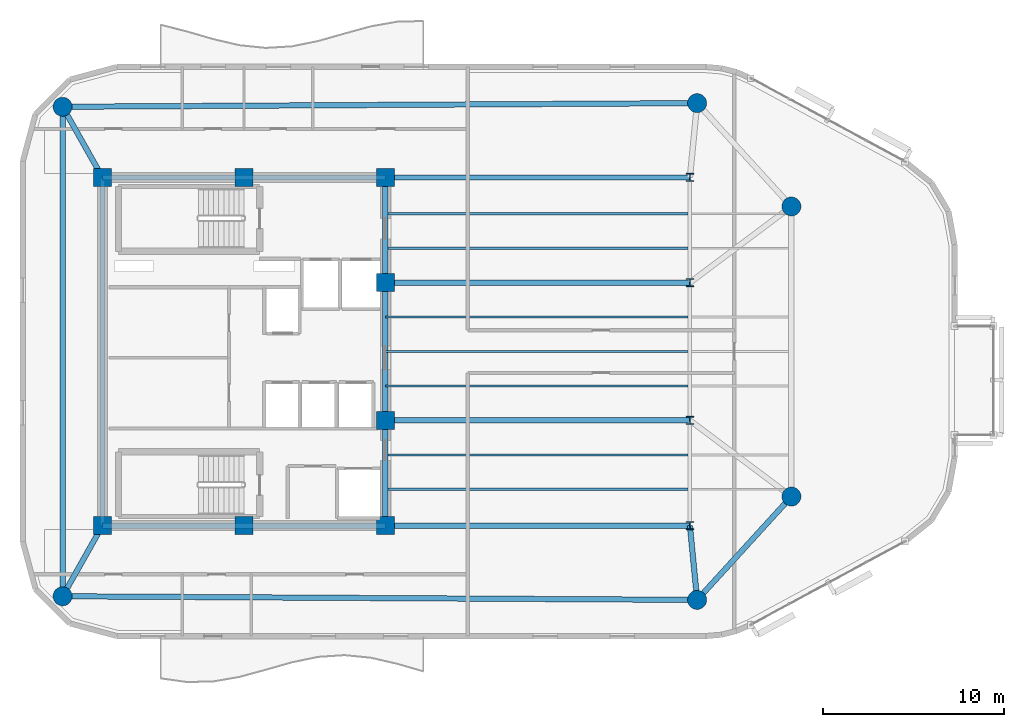
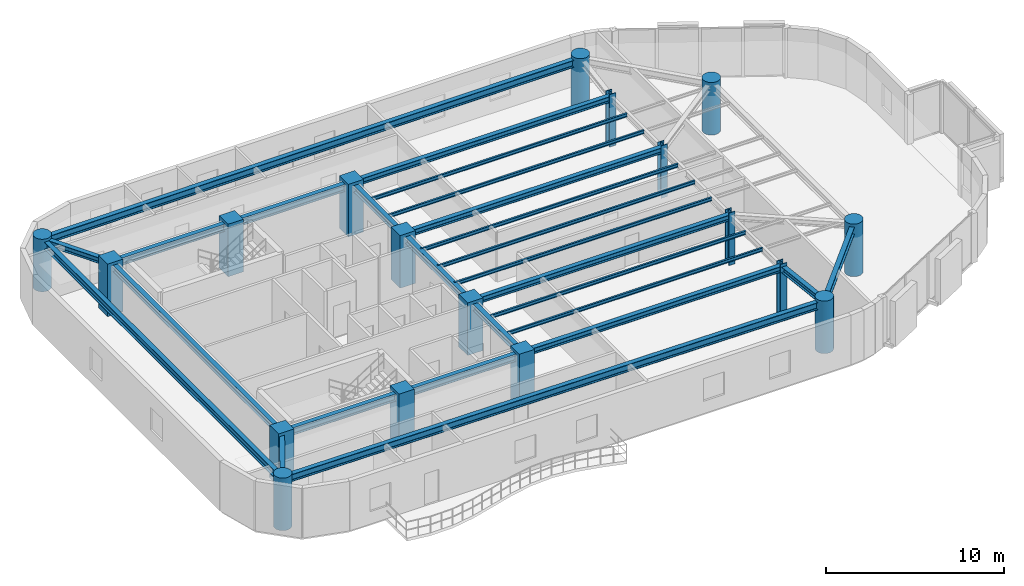
# One storey, part 1 of 14: 24 beams, 18 columns.
"""IFC4 building model written with IfcOpenShell, lengths in metres."""

from ifc_helpers import new_model, si_unit, direction, frame, origin, origin_2d, place, context, subcontext, project, spatial, rectangle, circle, i_section, extrude, material, material_profile, profile_set, type_object, element, save


model = new_model("IFC4")

# Units and contexts
model_context = context("Model", 3, precision=1e-05, world=origin(), true_north=direction((0.0, 1.0)))
body_context = subcontext(model_context, "Body", "Model", "MODEL_VIEW")
ifc_project = project(units=[si_unit("LENGTHUNIT", "METRE"), si_unit("AREAUNIT", "SQUARE_METRE"), si_unit("VOLUMEUNIT", "CUBIC_METRE"), si_unit("PLANEANGLEUNIT", "RADIAN"), si_unit("MASSUNIT", "GRAM", prefix="KILO")], contexts=[model_context])

# Site, building, storey
site_placement = place(None, origin())
site = spatial("IfcSite", under=ifc_project, at=site_placement, CompositionType="ELEMENT")
building_placement = place(site_placement, origin())
building = spatial("IfcBuilding", under=site, at=building_placement, Name="An Khanh Terracotta Commons", CompositionType="ELEMENT")
storey_placement = place(building_placement, frame((0.0, 0.0, 240.89990234375)))
storey = spatial("IfcBuildingStorey", under=building, at=storey_placement, Name="L63", CompositionType="ELEMENT", Elevation=240.89990234375)

# Columns
ifc_material_1 = material(Name="Concrete C60/75", Category="concrete")
ifc_material_profile_1 = material_profile(ifc_material_1, circle(Radius=0.52490234375, at=origin_2d()), Name="CFST1050")
ifc_profile_set_1 = profile_set([ifc_material_profile_1], Name="Concrete C60/75")
column_type_1 = type_object("IfcColumnType", Name="COL-CFST1050", PredefinedType="COLUMN", material=ifc_profile_set_1)
for number, where, z_axis, x_axis, name in (
    (1, (19.39990234375, 10.5, 0.0), (0.0, 0.0, 1.0), (1.0, 0.0, 0.0), "L63 Perimeter CFST Mega-Column MC-01"),
    (2, (54.39990234375, 10.300048828125, 0.0), (0.0, 0.0, 1.0), (1.0, 0.0, 0.0), "L63 Perimeter CFST Mega-Column MC-02"),
    (3, (59.60009765625, 16.0, 0.0), (0.0, 0.0, 1.0), (1.0, 0.0, 0.0), "L63 Perimeter CFST Mega-Column MC-03"),
    (4, (59.60009765625, 32.0, 0.0), (0.0, 0.0, 1.0), (1.0, 0.0, 0.0), "L63 Perimeter CFST Mega-Column MC-04"),
    (5, (54.39990234375, 37.699951171875, 0.0), (0.0, 0.0, 1.0), (1.0, 0.0, 0.0), "L63 Perimeter CFST Mega-Column MC-05"),
    (6, (19.39990234375, 37.5, 0.0), (0.0, 0.0, 1.0), (1.0, 0.0, 0.0), "L63 Perimeter CFST Mega-Column MC-06"),
):
    element("IfcColumn", number, at=place(storey_placement, frame(where, z_axis=z_axis, x_axis=x_axis)), inside=storey, type_object=column_type_1, Name=name, PredefinedType="COLUMN", context=body_context, shape_type="SweptSolid", body=[
        extrude(circle(Radius=0.52490234375, at=origin_2d()), origin(), (0.0, 0.0, 1.0), 3.60009765625),
    ])
ifc_material_2 = material(Name="Steel S460ML", Category="steel")
ifc_material_profile_2 = material_profile(ifc_material_2, i_section(OverallWidth=0.406005859375, OverallDepth=0.43994140625, WebThickness=0.02392578125, FlangeThickness=0.0390625, FilletRadius=0.014892578125, at=origin_2d()), Name="HD400x314")
ifc_profile_set_2 = profile_set([ifc_material_profile_2], Name="Steel S460ML")
column_type_2 = type_object("IfcColumnType", Name="COL-HD400x314", PredefinedType="COLUMN", material=ifc_profile_set_2)
for number, where, z_axis, x_axis, name in (
    (7, (54.0, 14.39990234375, 0.0), (0.0, 0.0, 1.0), (1.0, 0.0, 0.0), "L63 Interior Frame Column TC-01"),
    (8, (54.0, 20.199951171875, 0.0), (0.0, 0.0, 1.0), (1.0, 0.0, 0.0), "L63 Interior Frame Column TC-02"),
    (9, (54.0, 27.800048828125, 0.0), (0.0, 0.0, 1.0), (1.0, 0.0, 0.0), "L63 Interior Frame Column TC-03"),
    (10, (54.0, 33.60009765625, 0.0), (0.0, 0.0, 1.0), (1.0, 0.0, 0.0), "L63 Interior Frame Column TC-04"),
):
    element("IfcColumn", number, at=place(storey_placement, frame(where, z_axis=z_axis, x_axis=x_axis)), inside=storey, type_object=column_type_2, Name=name, PredefinedType="COLUMN", context=body_context, shape_type="SweptSolid", body=[
        extrude(i_section(OverallWidth=0.406005859375, OverallDepth=0.43994140625, WebThickness=0.02392578125, FlangeThickness=0.0390625, FilletRadius=0.014892578125, at=origin_2d()), origin(), (0.0, 0.0, 1.0), 3.60009765625),
    ])
ifc_material_profile_3 = material_profile(ifc_material_1, rectangle(XDim=1.0, YDim=1.0, at=origin_2d()), Name="RC1000x1000")
ifc_profile_set_3 = profile_set([ifc_material_profile_3], Name="Concrete C60/75")
column_type_3 = type_object("IfcColumnType", Name="COL-RC1000x1000", PredefinedType="COLUMN", material=ifc_profile_set_3)
for number, where, z_axis, x_axis, name in (
    (11, (21.60009765625, 14.39990234375, 0.0), (0.0, 0.0, 1.0), (1.0, 0.0, 0.0), "L63 Core Boundary Column CC-01"),
    (12, (29.39990234375, 14.39990234375, 0.0), (0.0, 0.0, 1.0), (1.0, 0.0, 0.0), "L63 Core Boundary Column CC-02"),
    (13, (37.199951171875, 14.39990234375, 0.0), (0.0, 0.0, 1.0), (1.0, 0.0, 0.0), "L63 Core Boundary Column CC-03"),
    (14, (37.199951171875, 20.199951171875, 0.0), (0.0, 0.0, 1.0), (1.0, 0.0, 0.0), "L63 Core Boundary Column CC-04"),
    (15, (37.199951171875, 27.800048828125, 0.0), (0.0, 0.0, 1.0), (1.0, 0.0, 0.0), "L63 Core Boundary Column CC-05"),
    (16, (37.199951171875, 33.60009765625, 0.0), (0.0, 0.0, 1.0), (1.0, 0.0, 0.0), "L63 Core Boundary Column CC-06"),
    (17, (29.39990234375, 33.60009765625, 0.0), (0.0, 0.0, 1.0), (1.0, 0.0, 0.0), "L63 Core Boundary Column CC-07"),
    (18, (21.60009765625, 33.60009765625, 0.0), (0.0, 0.0, 1.0), (1.0, 0.0, 0.0), "L63 Core Boundary Column CC-08"),
):
    element("IfcColumn", number, at=place(storey_placement, frame(where, z_axis=z_axis, x_axis=x_axis)), inside=storey, type_object=column_type_3, Name=name, PredefinedType="COLUMN", context=body_context, shape_type="SweptSolid", body=[
        extrude(rectangle(XDim=1.0, YDim=1.0, at=origin_2d()), origin(), (0.0, 0.0, 1.0), 3.60009765625),
    ])

# Beams
ifc_material_3 = material(Name="Steel S355J2", Category="steel")
ifc_material_profile_4 = material_profile(ifc_material_3, i_section(OverallWidth=0.300048828125, OverallDepth=0.39990234375, WebThickness=0.013427734375, FlangeThickness=0.02392578125, FilletRadius=0.027099609375, at=origin_2d()), Name="HEB400")
ifc_profile_set_4 = profile_set([ifc_material_profile_4], Name="Steel S355J2")
beam_type_1 = type_object("IfcBeamType", Name="BM-HEB400", PredefinedType="BEAM", material=ifc_profile_set_4)
for number, where, z_axis, x_axis, name in (
    (19, (37.199951171875, 14.39990234375, 3.2001953125), (1.0, 0.0, 0.0), (0.0, 1.0, 0.0), "L63 East Primary Floor Girder 1"),
    (20, (37.199951171875, 20.199951171875, 3.2001953125), (1.0, 0.0, 0.0), (0.0, 1.0, 0.0), "L63 East Primary Floor Girder 2"),
    (21, (37.199951171875, 27.800048828125, 3.2001953125), (1.0, 0.0, 0.0), (0.0, 1.0, 0.0), "L63 East Primary Floor Girder 3"),
    (22, (37.199951171875, 33.60009765625, 3.2001953125), (1.0, 0.0, 0.0), (0.0, 1.0, 0.0), "L63 East Primary Floor Girder 4"),
):
    element("IfcBeam", number, at=place(storey_placement, frame(where, z_axis=z_axis, x_axis=x_axis)), inside=storey, type_object=beam_type_1, Name=name, PredefinedType="BEAM", context=body_context, shape_type="SweptSolid", body=[
        extrude(i_section(OverallWidth=0.300048828125, OverallDepth=0.39990234375, WebThickness=0.013427734375, FlangeThickness=0.02392578125, FilletRadius=0.027099609375, at=origin_2d()), origin(), (0.0, 0.0, 1.0), 16.800048828125),
    ])
beam_1_placement = place(storey_placement, frame((19.39990234375, 10.5, 3.2001953125), z_axis=(0.491363608436, 0.870954536302, 0.0), x_axis=(-0.870954536302, 0.491363608436, 0.0)))
element("IfcBeam", 23, at=beam_1_placement, inside=storey, type_object=beam_type_1, Name="L63 Mega-Column Tie Girder 1", PredefinedType="BEAM", context=body_context, shape_type="SweptSolid", body=[
    extrude(i_section(OverallWidth=0.300048828125, OverallDepth=0.39990234375, WebThickness=0.013427734375, FlangeThickness=0.02392578125, FilletRadius=0.027099609375, at=origin_2d()), origin(), (0.0, 0.0, 1.0), 4.477783203125),
])
beam_2_placement = place(storey_placement, frame((54.39990234375, 10.300048828125, 3.2001953125), z_axis=(-0.097079917443, 0.995276589511, 0.0), x_axis=(-0.995276589511, -0.097079917443, 0.0)))
element("IfcBeam", 24, at=beam_2_placement, inside=storey, type_object=beam_type_1, Name="L63 Mega-Column Tie Girder 2", PredefinedType="BEAM", context=body_context, shape_type="SweptSolid", body=[
    extrude(i_section(OverallWidth=0.300048828125, OverallDepth=0.39990234375, WebThickness=0.013427734375, FlangeThickness=0.02392578125, FilletRadius=0.027099609375, at=origin_2d()), origin(), (0.0, 0.0, 1.0), 4.119384765625),
])
beam_3_placement = place(storey_placement, frame((19.39990234375, 37.5, 3.2001953125), z_axis=(0.491363608436, -0.870954536302, 0.0), x_axis=(0.870954536302, 0.491363608436, 0.0)))
element("IfcBeam", 25, at=beam_3_placement, inside=storey, type_object=beam_type_1, Name="L63 Mega-Column Tie Girder 6", PredefinedType="BEAM", context=body_context, shape_type="SweptSolid", body=[
    extrude(i_section(OverallWidth=0.300048828125, OverallDepth=0.39990234375, WebThickness=0.013427734375, FlangeThickness=0.02392578125, FilletRadius=0.027099609375, at=origin_2d()), origin(), (0.0, 0.0, 1.0), 4.477783203125),
])
ifc_material_profile_5 = material_profile(ifc_material_3, i_section(OverallWidth=0.300048828125, OverallDepth=0.449951171875, WebThickness=0.013916015625, FlangeThickness=0.02587890625, FilletRadius=0.027099609375, at=origin_2d()), Name="HEB450")
ifc_profile_set_5 = profile_set([ifc_material_profile_5], Name="Steel S355J2")
beam_type_2 = type_object("IfcBeamType", Name="BM-HEB450", PredefinedType="BEAM", material=ifc_profile_set_5)
beam_4_placement = place(storey_placement, frame((37.199951171875, 14.39990234375, 3.175048828125), z_axis=(0.0, 1.0, 0.0), x_axis=(-1.0, 0.0, 0.0)))
element("IfcBeam", 26, at=beam_4_placement, inside=storey, type_object=beam_type_2, Name="L63 Core East Coupling Girder 1", PredefinedType="BEAM", context=body_context, shape_type="SweptSolid", body=[
    extrude(i_section(OverallWidth=0.300048828125, OverallDepth=0.449951171875, WebThickness=0.013916015625, FlangeThickness=0.02587890625, FilletRadius=0.027099609375, at=origin_2d()), origin(), (0.0, 0.0, 1.0), 5.800048828125),
])
beam_5_placement = place(storey_placement, frame((37.199951171875, 20.199951171875, 3.175048828125), z_axis=(0.0, 1.0, 0.0), x_axis=(-1.0, 0.0, 0.0)))
element("IfcBeam", 27, at=beam_5_placement, inside=storey, type_object=beam_type_2, Name="L63 Core East Coupling Girder 2", PredefinedType="BEAM", context=body_context, shape_type="SweptSolid", body=[
    extrude(i_section(OverallWidth=0.300048828125, OverallDepth=0.449951171875, WebThickness=0.013916015625, FlangeThickness=0.02587890625, FilletRadius=0.027099609375, at=origin_2d()), origin(), (0.0, 0.0, 1.0), 7.60009765625),
])
beam_6_placement = place(storey_placement, frame((37.199951171875, 27.800048828125, 3.175048828125), z_axis=(0.0, 1.0, 0.0), x_axis=(-1.0, 0.0, 0.0)))
element("IfcBeam", 28, at=beam_6_placement, inside=storey, type_object=beam_type_2, Name="L63 Core East Coupling Girder 3", PredefinedType="BEAM", context=body_context, shape_type="SweptSolid", body=[
    extrude(i_section(OverallWidth=0.300048828125, OverallDepth=0.449951171875, WebThickness=0.013916015625, FlangeThickness=0.02587890625, FilletRadius=0.027099609375, at=origin_2d()), origin(), (0.0, 0.0, 1.0), 5.800048828125),
])
beam_7_placement = place(storey_placement, frame((21.60009765625, 14.39990234375, 3.175048828125), z_axis=(0.0, 1.0, 0.0), x_axis=(-1.0, 0.0, 0.0)))
element("IfcBeam", 29, at=beam_7_placement, inside=storey, type_object=beam_type_2, Name="L63 Core West Coupling Girder", PredefinedType="BEAM", context=body_context, shape_type="SweptSolid", body=[
    extrude(i_section(OverallWidth=0.300048828125, OverallDepth=0.449951171875, WebThickness=0.013916015625, FlangeThickness=0.02587890625, FilletRadius=0.027099609375, at=origin_2d()), origin(), (0.0, 0.0, 1.0), 19.2001953125),
])
ifc_material_profile_6 = material_profile(ifc_material_3, i_section(OverallWidth=0.300048828125, OverallDepth=0.5, WebThickness=0.014404296875, FlangeThickness=0.028076171875, FilletRadius=0.027099609375, at=origin_2d()), Name="HEB500")
ifc_profile_set_6 = profile_set([ifc_material_profile_6], Name="Steel S355J2")
beam_type_3 = type_object("IfcBeamType", Name="BM-HEB500", PredefinedType="BEAM", material=ifc_profile_set_6)
for number, where, z_axis, x_axis, name in (
    (30, (21.60009765625, 14.39990234375, 3.150146484375), (1.0, 0.0, 0.0), (0.0, 1.0, 0.0), "L63 Core South Coupling Girder"),
    (31, (21.60009765625, 33.60009765625, 3.150146484375), (1.0, 0.0, 0.0), (0.0, 1.0, 0.0), "L63 Core North Coupling Girder"),
):
    element("IfcBeam", number, at=place(storey_placement, frame(where, z_axis=z_axis, x_axis=x_axis)), inside=storey, type_object=beam_type_3, Name=name, PredefinedType="BEAM", context=body_context, shape_type="SweptSolid", body=[
        extrude(i_section(OverallWidth=0.300048828125, OverallDepth=0.5, WebThickness=0.014404296875, FlangeThickness=0.028076171875, FilletRadius=0.027099609375, at=origin_2d()), origin(), (0.0, 0.0, 1.0), 15.599853515625),
    ])
beam_8_placement = place(storey_placement, frame((19.39990234375, 10.5, 3.150146484375), z_axis=(0.99998368184, -0.005712797401, 0.0), x_axis=(0.005712797401, 0.99998368184, 0.0)))
element("IfcBeam", 32, at=beam_8_placement, inside=storey, type_object=beam_type_3, Name="L63 Perimeter Ring Spandrel 1", PredefinedType="BEAM", context=body_context, shape_type="SweptSolid", body=[
    extrude(i_section(OverallWidth=0.300048828125, OverallDepth=0.5, WebThickness=0.014404296875, FlangeThickness=0.028076171875, FilletRadius=0.027099609375, at=origin_2d()), origin(), (0.0, 0.0, 1.0), 35.00048828125),
])
beam_9_placement = place(storey_placement, frame((54.39990234375, 10.300048828125, 3.150146484375), z_axis=(0.673978953902, 0.738750546326, 0.0), x_axis=(-0.738750546326, 0.673978953902, 0.0)))
element("IfcBeam", 33, at=beam_9_placement, inside=storey, type_object=beam_type_3, Name="L63 Perimeter Ring Spandrel 2", PredefinedType="BEAM", context=body_context, shape_type="SweptSolid", body=[
    extrude(i_section(OverallWidth=0.300048828125, OverallDepth=0.5, WebThickness=0.014404296875, FlangeThickness=0.028076171875, FilletRadius=0.027099609375, at=origin_2d()), origin(), (0.0, 0.0, 1.0), 7.715576171875),
])
beam_10_placement = place(storey_placement, frame((54.39990234375, 37.699951171875, 3.150146484375), z_axis=(-0.99998368184, -0.005712797401, 0.0), x_axis=(0.005712797401, -0.99998368184, 0.0)))
element("IfcBeam", 34, at=beam_10_placement, inside=storey, type_object=beam_type_3, Name="L63 Perimeter Ring Spandrel 5", PredefinedType="BEAM", context=body_context, shape_type="SweptSolid", body=[
    extrude(i_section(OverallWidth=0.300048828125, OverallDepth=0.5, WebThickness=0.014404296875, FlangeThickness=0.028076171875, FilletRadius=0.027099609375, at=origin_2d()), origin(), (0.0, 0.0, 1.0), 35.00048828125),
])
beam_11_placement = place(storey_placement, frame((19.39990234375, 37.5, 3.150146484375), z_axis=(0.0, -1.0, 0.0), x_axis=(1.0, 0.0, 0.0)))
element("IfcBeam", 35, at=beam_11_placement, inside=storey, type_object=beam_type_3, Name="L63 Perimeter Ring Spandrel 6", PredefinedType="BEAM", context=body_context, shape_type="SweptSolid", body=[
    extrude(i_section(OverallWidth=0.300048828125, OverallDepth=0.5, WebThickness=0.014404296875, FlangeThickness=0.028076171875, FilletRadius=0.027099609375, at=origin_2d()), origin(), (0.0, 0.0, 1.0), 27.0),
])
ifc_material_profile_7 = material_profile(ifc_material_3, i_section(OverallWidth=0.1201171875, OverallDepth=0.239990234375, WebThickness=0.006103515625, FlangeThickness=0.009765625, FilletRadius=0.014892578125, at=origin_2d()), Name="IPE240")
ifc_profile_set_7 = profile_set([ifc_material_profile_7], Name="Steel S355J2")
beam_type_4 = type_object("IfcBeamType", Name="BM-IPE240", PredefinedType="JOIST", material=ifc_profile_set_7)
for number, where, z_axis, x_axis, name in (
    (36, (37.199951171875, 16.39990234375, 3.280029296875), (1.0, 0.0, 0.0), (0.0, 1.0, 0.0), "L63 Inboard Composite Joist 1"),
    (37, (37.199951171875, 18.300048828125, 3.280029296875), (1.0, 0.0, 0.0), (0.0, 1.0, 0.0), "L63 Inboard Composite Joist 2"),
    (38, (37.199951171875, 22.10009765625, 3.280029296875), (1.0, 0.0, 0.0), (0.0, 1.0, 0.0), "L63 Inboard Composite Joist 3"),
    (39, (37.199951171875, 24.0, 3.280029296875), (1.0, 0.0, 0.0), (0.0, 1.0, 0.0), "L63 Inboard Composite Joist 4"),
    (40, (37.199951171875, 25.89990234375, 3.280029296875), (1.0, 0.0, 0.0), (0.0, 1.0, 0.0), "L63 Inboard Composite Joist 5"),
    (41, (37.199951171875, 29.699951171875, 3.280029296875), (1.0, 0.0, 0.0), (0.0, 1.0, 0.0), "L63 Inboard Composite Joist 6"),
    (42, (37.199951171875, 31.60009765625, 3.280029296875), (1.0, 0.0, 0.0), (0.0, 1.0, 0.0), "L63 Inboard Composite Joist 7"),
):
    element("IfcBeam", number, at=place(storey_placement, frame(where, z_axis=z_axis, x_axis=x_axis)), inside=storey, type_object=beam_type_4, Name=name, PredefinedType="JOIST", context=body_context, shape_type="SweptSolid", body=[
        extrude(i_section(OverallWidth=0.1201171875, OverallDepth=0.239990234375, WebThickness=0.006103515625, FlangeThickness=0.009765625, FilletRadius=0.014892578125, at=origin_2d()), origin(), (0.0, 0.0, 1.0), 16.705078125),
    ])

save(model, "model.ifc")
